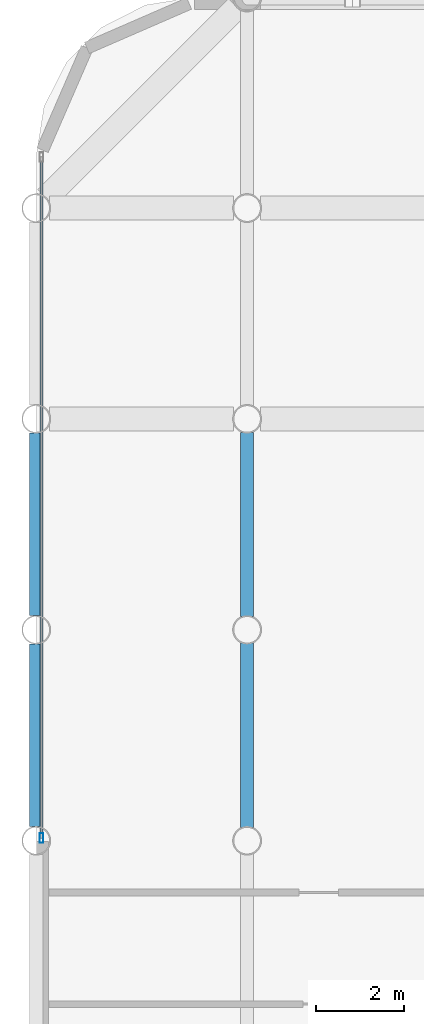
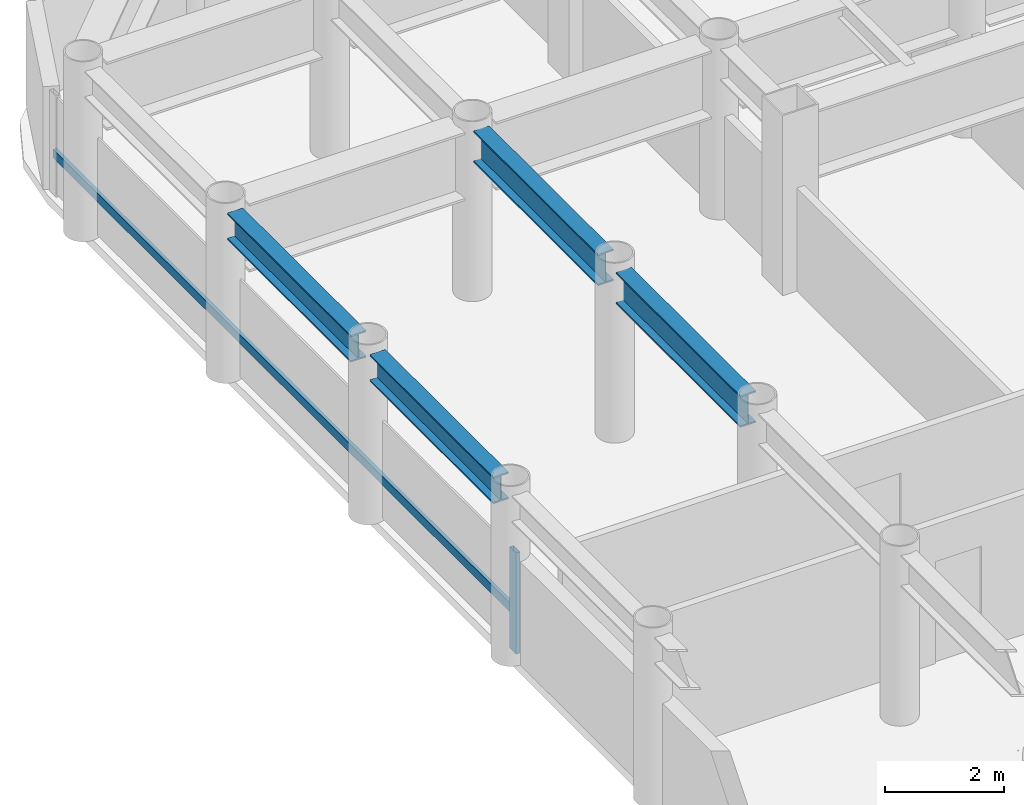
# One storey, part 5 of 22: 4 beams, 2 members, 1 element without a shape of its own.
"""IFC4 building model written with IfcOpenShell, lengths in metres."""

import ifcopenshell
import ifcopenshell.guid

model = None  # the IFC model being written
_history = None  # IfcOwnerHistory: only IFC2X3 demands one
_inside = {}  # id of a spatial element -> (the spatial element, [elements in it])
_under = {}  # id of a project, library or spatial element -> (it, [spatial elements below it])
_declared = {}  # id of a project -> (the project, [libraries it declares])
_typed = {}  # id of a type object -> (the type object, [elements of that type])
_made_of = {}  # id of a material, layer set ... -> (it, [elements and type objects made of it])


def new_model(schema):
    """Start an empty IFC model of exactly this schema.

    Asked for "IFC4X3", IfcOpenShell would pick the latest addendum, in which some entities
    have other attributes; the version numbers below select the first issue.
    IFC2X3 requires an IfcOwnerHistory on every rooted entity: one is made here for all.
    """
    global model, _history
    if schema == "IFC4X3":
        model = ifcopenshell.file(schema_version=(4, 3, 0, 0))
    else:
        model = ifcopenshell.file(schema=schema)
    _inside.clear()
    _under.clear()
    _declared.clear()
    _typed.clear()
    _made_of.clear()
    _history = None
    if model.schema == "IFC2X3":
        org = make("IfcOrganization", Name="unknown")
        user = make(
            "IfcPersonAndOrganization",
            ThePerson=make("IfcPerson", FamilyName="unknown"),
            TheOrganization=org,
        )
        app = make(
            "IfcApplication",
            ApplicationDeveloper=org,
            Version="unknown",
            ApplicationFullName="unknown",
            ApplicationIdentifier="unknown",
        )
        _history = make(
            "IfcOwnerHistory",
            OwningUser=user,
            OwningApplication=app,
            ChangeAction="ADDED",
            CreationDate=0,
        )
    return model


def make(cls, **values):
    """One entity of the class cls with the attributes given. An attribute that is None is left unset."""
    return model.create_entity(
        cls, **{name: value for name, value in values.items() if value is not None}
    )


def rooted(cls, **values):
    """An entity with a GlobalId (a new one), such as an element, a storey or a relation."""
    return make(cls, GlobalId=ifcopenshell.guid.new(), OwnerHistory=_history, **values)


def si_unit(unit_type, name, prefix=None):
    """IfcSIUnit, for example si_unit("LENGTHUNIT", "METRE", prefix="MILLI")."""
    return make("IfcSIUnit", UnitType=unit_type, Prefix=prefix, Name=name)


def assignment(units):
    """IfcUnitAssignment: the units of a project."""
    return None if units is None else make("IfcUnitAssignment", Units=units)


def point(xyz):
    """IfcCartesianPoint."""
    return None if xyz is None else make("IfcCartesianPoint", Coordinates=xyz)


def direction(xyz):
    """IfcDirection."""
    return None if xyz is None else make("IfcDirection", DirectionRatios=xyz)


def frame(location, z_axis=None, x_axis=None):
    """IfcAxis2Placement3D, a coordinate frame: its origin and axes. An axis left out is left unset."""
    return make(
        "IfcAxis2Placement3D",
        Location=point(location),
        Axis=direction(z_axis),
        RefDirection=direction(x_axis),
    )


def frame_2d(location, x_axis=None):
    """IfcAxis2Placement2D, a coordinate frame in the plane: its origin and x axis."""
    return make(
        "IfcAxis2Placement2D", Location=point(location), RefDirection=direction(x_axis)
    )


def origin():
    """The frame at (0, 0, 0) with its axes left unset."""
    return frame((0.0, 0.0, 0.0))


def origin_2d():
    """The frame at (0, 0) in the plane with its x axis left unset."""
    return frame_2d((0.0, 0.0))


def place(relative_to, where):
    """IfcLocalPlacement: puts the frame where relative to a parent placement (None: the world)."""
    return make(
        "IfcLocalPlacement", PlacementRelTo=relative_to, RelativePlacement=where
    )


def context(
    kind, dimensions, precision=None, world=None, true_north=None, identifier=None
):
    """IfcGeometricRepresentationContext, for example the 3D "Model" context."""
    return make(
        "IfcGeometricRepresentationContext",
        ContextIdentifier=identifier,
        ContextType=kind,
        CoordinateSpaceDimension=dimensions,
        Precision=precision,
        WorldCoordinateSystem=world,
        TrueNorth=true_north,
    )


def subcontext(parent, identifier, kind, view, scale=None):
    """IfcGeometricRepresentationSubContext, for example "Body" below "Model"."""
    return make(
        "IfcGeometricRepresentationSubContext",
        ContextIdentifier=identifier,
        ContextType=kind,
        ParentContext=parent,
        TargetScale=scale,
        TargetView=view,
    )


def project(units=None, contexts=None):
    """IfcProject with its units and contexts."""
    return rooted(
        "IfcProject",
        Name="project",
        RepresentationContexts=contexts,
        UnitsInContext=assignment(units),
    )


def spatial(cls, under=None, at=None, **own):
    """A site, building, storey or space (cls), placed at a placement, below another one or the project."""
    s = rooted(cls, ObjectPlacement=at, **own)
    if under is not None:
        _under.setdefault(under.id(), (under, []))[1].append(s)
    return s


def profile(cls, at=None, kind="AREA", **sizes):
    """A parametric profile (cls). Its sizes go by their IFC names, for example OverallWidth=200.0."""
    return make(cls, ProfileType=kind, Position=at, **sizes)


def hollow_rectangle(**sizes):
    """IfcRectangleHollowProfileDef."""
    return profile("IfcRectangleHollowProfileDef", **sizes)


def i_section(**sizes):
    """IfcIShapeProfileDef."""
    return profile("IfcIShapeProfileDef", **sizes)


def extrude(swept, where, along, depth):
    """IfcExtrudedAreaSolid: the profile swept, set in the frame where, extruded along a direction by depth."""
    return make(
        "IfcExtrudedAreaSolid",
        SweptArea=swept,
        Position=where,
        ExtrudedDirection=direction(along),
        Depth=depth,
    )


def shape(context_of_items, identifier, shape_type, items):
    """IfcShapeRepresentation: the items that make up one representation, for example the "Body"."""
    return make(
        "IfcShapeRepresentation",
        ContextOfItems=context_of_items,
        RepresentationIdentifier=identifier,
        RepresentationType=shape_type,
        Items=items,
    )


def material(Name=None, Category=None):
    """IfcMaterial."""
    return make("IfcMaterial", Name=Name, Category=Category)


def layer(
    of_material, thickness, ventilated=None, Name=None, Category=None, Priority=None
):
    """IfcMaterialLayer: one layer of a wall or slab, of a material (None: an air gap)."""
    return make(
        "IfcMaterialLayer",
        Material=of_material,
        LayerThickness=thickness,
        IsVentilated=ventilated,
        Name=Name,
        Category=Category,
        Priority=Priority,
    )


def layer_set(layers, Name=None):
    """IfcMaterialLayerSet."""
    return make("IfcMaterialLayerSet", MaterialLayers=layers, LayerSetName=Name)


def material_profile(
    of_material, cross_section, Name=None, Category=None, Priority=None
):
    """IfcMaterialProfile: a cross section and its material."""
    return make(
        "IfcMaterialProfile",
        Name=Name,
        Material=of_material,
        Profile=cross_section,
        Priority=Priority,
        Category=Category,
    )


def profile_set(profiles, Name=None, composite=None):
    """IfcMaterialProfileSet."""
    return make(
        "IfcMaterialProfileSet",
        Name=Name,
        MaterialProfiles=profiles,
        CompositeProfile=composite,
    )


def made_of(thing, what):
    """Note that an element or type object is made of a material, layer set ...; save() writes the relation."""
    if what is not None:
        _made_of.setdefault(what.id(), (what, []))[1].append(thing)
    return thing


def type_object(cls, material=None, **own):
    """A type object (cls), such as IfcWallType, which elements share."""
    return made_of(rooted(cls, **own), material)


def element(
    cls,
    number,
    at=None,
    inside=None,
    cuts=None,
    type_object=None,
    material=None,
    context=None,
    identifier="Body",
    shape_type=None,
    held_by="IfcProductDefinitionShape",
    body=None,
    shapes=None,
    **own,
):
    """One element of the class cls, such as IfcWall. Its Tag is "e" and its number.

    at: its placement. inside: the storey or other place that contains it. cuts: it is an
    opening in that element (IfcRelVoidsElement). A single representation is given by context,
    identifier, shape_type and body (its items); several are given by shapes. held_by: the class
    of the entity that holds the representations. save() writes the other relations.
    """
    e = rooted(cls, Tag="e%d" % number, ObjectPlacement=at, **own)
    if body is not None:
        shapes = [shape(context, identifier, shape_type, body)]
    if shapes is not None:
        e.Representation = make(held_by, Representations=shapes)
    if inside is not None:
        _inside.setdefault(inside.id(), (inside, []))[1].append(e)
    if cuts is not None:
        rooted(
            "IfcRelVoidsElement", RelatingBuildingElement=cuts, RelatedOpeningElement=e
        )
    if type_object is not None:
        _typed.setdefault(type_object.id(), (type_object, []))[1].append(e)
    return made_of(e, material)


def aggregate(whole, parts):
    """IfcRelAggregates: a whole, such as a stair, and the parts it consists of."""
    return rooted("IfcRelAggregates", RelatingObject=whole, RelatedObjects=parts)


def save(model, path):
    """Write the relations noted so far, then the file.

    IfcRelAggregates (storeys below a building ...), IfcRelContainedInSpatialStructure (elements
    in a storey), IfcRelDefinesByType, IfcRelAssociatesMaterial and IfcRelDeclares: one each for
    every whole, place, type object, material and project.
    """
    for whole, parts in _under.values():
        aggregate(whole, parts)
    for where, things in _inside.values():
        rooted(
            "IfcRelContainedInSpatialStructure",
            RelatedElements=things,
            RelatingStructure=where,
        )
    for kind, things in _typed.values():
        rooted("IfcRelDefinesByType", RelatedObjects=things, RelatingType=kind)
    for what, things in _made_of.values():
        rooted("IfcRelAssociatesMaterial", RelatedObjects=things, RelatingMaterial=what)
    for by, libraries in _declared.values():
        rooted("IfcRelDeclares", RelatingContext=by, RelatedDefinitions=libraries)
    model.write(path)


model = new_model("IFC4")

# Units and contexts
model_context = context("Model", 3, precision=1e-05, world=origin(), true_north=direction((0.0, 1.0)))
body_context = subcontext(model_context, "Body", "Model", "MODEL_VIEW")
ifc_project = project(units=[si_unit("LENGTHUNIT", "METRE"), si_unit("AREAUNIT", "SQUARE_METRE"), si_unit("VOLUMEUNIT", "CUBIC_METRE"), si_unit("PLANEANGLEUNIT", "RADIAN"), si_unit("MASSUNIT", "GRAM", prefix="KILO")], contexts=[model_context])

# Site, building, storey
site_placement = place(None, origin())
site = spatial("IfcSite", under=ifc_project, at=site_placement, CompositionType="ELEMENT")
building_placement = place(site_placement, origin())
building = spatial("IfcBuilding", under=site, at=building_placement, Name="Kallvorn Hotel Tower", CompositionType="ELEMENT")
storey_placement = place(building_placement, frame((0.0, 0.0, 154.39990234375)))
storey = spatial("IfcBuildingStorey", under=building, at=storey_placement, Name="L38", CompositionType="ELEMENT", Elevation=154.39990234375)

# Beams
ifc_material_1 = material(Name="Structural steel S355JR", Category="steel")
ifc_material_profile_1 = material_profile(ifc_material_1, i_section(OverallWidth=0.300048828125, OverallDepth=0.550048828125, WebThickness=0.014892578125, FlangeThickness=0.029052734375, at=origin_2d()), Name="HE 550 B")
ifc_profile_set_1 = profile_set([ifc_material_profile_1], Name="Structural steel S355JR")
beam_type_1 = type_object("IfcBeamType", Name="BM_HE550B", PredefinedType="SPANDREL", material=ifc_profile_set_1)
for number, where, z_axis, x_axis, name in (
    (1, (-33.60009765625, 0.320068359375, 3.2451171875), (0.0, 1.0, 0.0), (-1.0, 0.0, 0.0), "L39 Perimeter Spandrel 178"),
    (2, (-33.60009765625, 5.1201171875, 3.2451171875), (0.0, 1.0, 0.0), (-1.0, 0.0, 0.0), "L39 Perimeter Spandrel 179"),
):
    element("IfcBeam", number, at=place(storey_placement, frame(where, z_axis=z_axis, x_axis=x_axis)), inside=storey, type_object=beam_type_1, Name=name, PredefinedType="SPANDREL", context=body_context, shape_type="SweptSolid", body=[
        extrude(i_section(OverallWidth=0.300048828125, OverallDepth=0.550048828125, WebThickness=0.014892578125, FlangeThickness=0.029052734375, at=origin_2d()), origin(), (0.0, 0.0, 1.0), 4.159912109375),
    ])
ifc_material_2 = material(Name="Structural steel S355JR", Category="steel")
ifc_material_profile_2 = material_profile(ifc_material_2, i_section(OverallWidth=0.300048828125, OverallDepth=0.64990234375, WebThickness=0.01611328125, FlangeThickness=0.031005859375, at=origin_2d()), Name="HE 650 B")
ifc_profile_set_2 = profile_set([ifc_material_profile_2], Name="Structural steel S355JR")
beam_type_2 = type_object("IfcBeamType", Name="BM_HE650B", PredefinedType="BEAM", material=ifc_profile_set_2)
beam_1_placement = place(storey_placement, frame((-28.800048828125, 0.304931640625, 3.195068359375), z_axis=(0.0, 1.0, 0.0), x_axis=(-1.0, 0.0, 0.0)))
element("IfcBeam", 3, at=beam_1_placement, inside=storey, type_object=beam_type_2, Name="L39 Primary Y-Girder 78", PredefinedType="BEAM", context=body_context, shape_type="SweptSolid", body=[
    extrude(i_section(OverallWidth=0.300048828125, OverallDepth=0.64990234375, WebThickness=0.01611328125, FlangeThickness=0.031005859375, at=origin_2d()), origin(), (0.0, 0.0, 1.0), 4.190185546875),
])
beam_2_placement = place(storey_placement, frame((-28.800048828125, 5.10498046875, 3.195068359375), z_axis=(0.0, 1.0, 0.0), x_axis=(-1.0, 0.0, 0.0)))
element("IfcBeam", 4, at=beam_2_placement, inside=storey, type_object=beam_type_2, Name="L39 Primary Y-Girder 79", PredefinedType="BEAM", context=body_context, shape_type="SweptSolid", body=[
    extrude(i_section(OverallWidth=0.300048828125, OverallDepth=0.64990234375, WebThickness=0.01611328125, FlangeThickness=0.031005859375, at=origin_2d()), origin(), (0.0, 0.0, 1.0), 4.18994140625),
])

# Curtain wall, members
ifc_material_3 = material(Name="Thermally broken black-anodised aluminium AA 6063-T6", Category="aluminium")
ifc_layer = layer(ifc_material_3, 0.2099609375)
ifc_layer_set = layer_set([ifc_layer], Name="CW_SYS_4_HOTEL_MID")
curtain_wall_type = type_object("IfcCurtainWallType", Name="CW_SYS_4_HOTEL_MID", PredefinedType="USERDEFINED", material=ifc_layer_set)
curtain_wall_placement = place(storey_placement, origin())
curtain_wall = element("IfcCurtainWall", 5, at=curtain_wall_placement, inside=storey, type_object=curtain_wall_type, Name="L38 Dark-Glass Curtain Wall CW-L38-WN", ObjectType="UNITISED CURTAIN WALL", PredefinedType="USERDEFINED")
ifc_material_4 = material(Name="Thermally broken black-anodised aluminium AA 6063-T6", Category="aluminium")
ifc_material_profile_3 = material_profile(ifc_material_4, hollow_rectangle(XDim=0.080078125, YDim=0.219970703125, WallThickness=0.0048828125, at=origin_2d()), Name="MUL 220x80")
ifc_profile_set_3 = profile_set([ifc_material_profile_3], Name="Thermally broken black-anodised aluminium AA 6063-T6")
member_type_1 = type_object("IfcMemberType", Name="CW_MULLION_220x80", PredefinedType="MULLION", material=ifc_profile_set_3)
member_1_placement = place(storey_placement, frame((-33.47998046875, 0.06005859375, 0.02001953125), z_axis=(0.0, 0.0, 1.0), x_axis=(1.0, 0.0, 0.0)))
member_1 = element("IfcMember", 6, at=member_1_placement, type_object=member_type_1, Name="CW-L38-WN Mullion 00", PredefinedType="MULLION", context=body_context, shape_type="SweptSolid", body=[
    extrude(hollow_rectangle(XDim=0.080078125, YDim=0.219970703125, WallThickness=0.0048828125, at=origin_2d()), origin(), (0.0, 0.0, 1.0), 2.080078125),
])
ifc_material_5 = material(Name="Thermally broken black-anodised aluminium AA 6063-T6", Category="aluminium")
ifc_material_profile_4 = material_profile(ifc_material_5, hollow_rectangle(XDim=0.070068359375, YDim=0.179931640625, WallThickness=0.00390625, at=origin_2d()), Name="TRN 180x70")
ifc_profile_set_4 = profile_set([ifc_material_profile_4], Name="Thermally broken black-anodised aluminium AA 6063-T6")
member_type_2 = type_object("IfcMemberType", Name="CW_TRANSOM_180x70", PredefinedType="USERDEFINED", material=ifc_profile_set_4)
member_2_placement = place(storey_placement, frame((-33.47998046875, 0.06005859375, 0.85009765625), z_axis=(0.0, 1.0, 0.0), x_axis=(-1.0, 0.0, 0.0)))
member_2 = element("IfcMember", 7, at=member_2_placement, type_object=member_type_2, Name="CW-L38-WN Transom 00M", ObjectType="TRANSOM", PredefinedType="USERDEFINED", context=body_context, shape_type="SweptSolid", body=[
    extrude(hollow_rectangle(XDim=0.070068359375, YDim=0.179931640625, WallThickness=0.00390625, at=origin_2d()), origin(), (0.0, 0.0, 1.0), 15.5),
])
aggregate(curtain_wall, [member_1, member_2])

save(model, "model.ifc")
